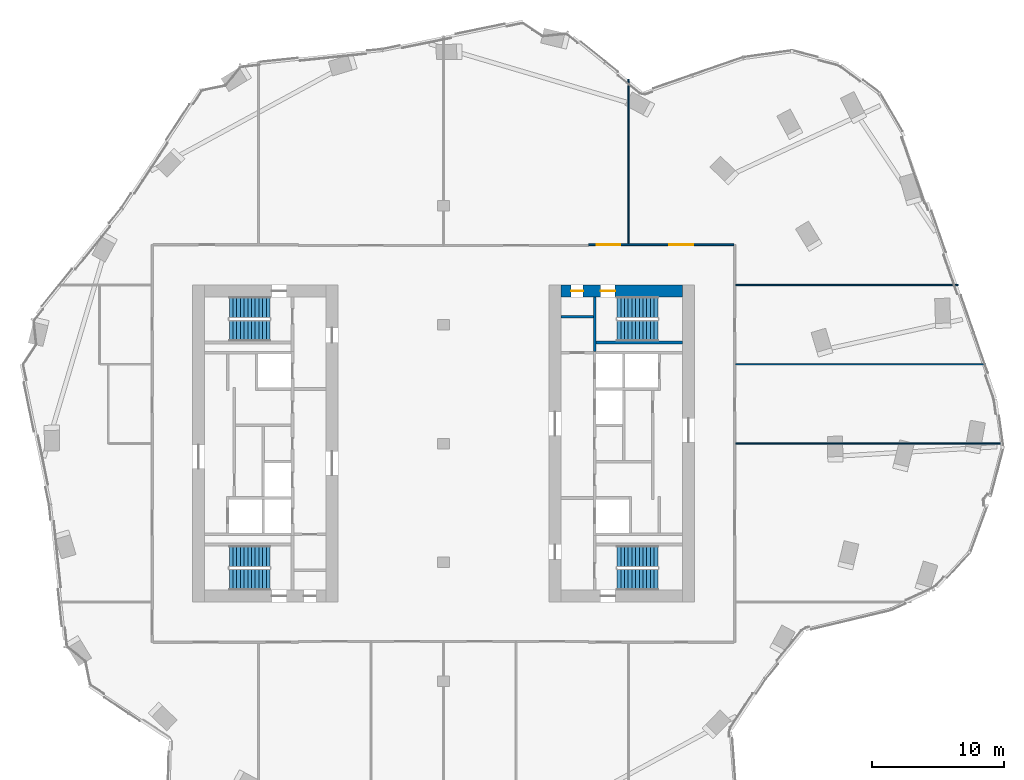
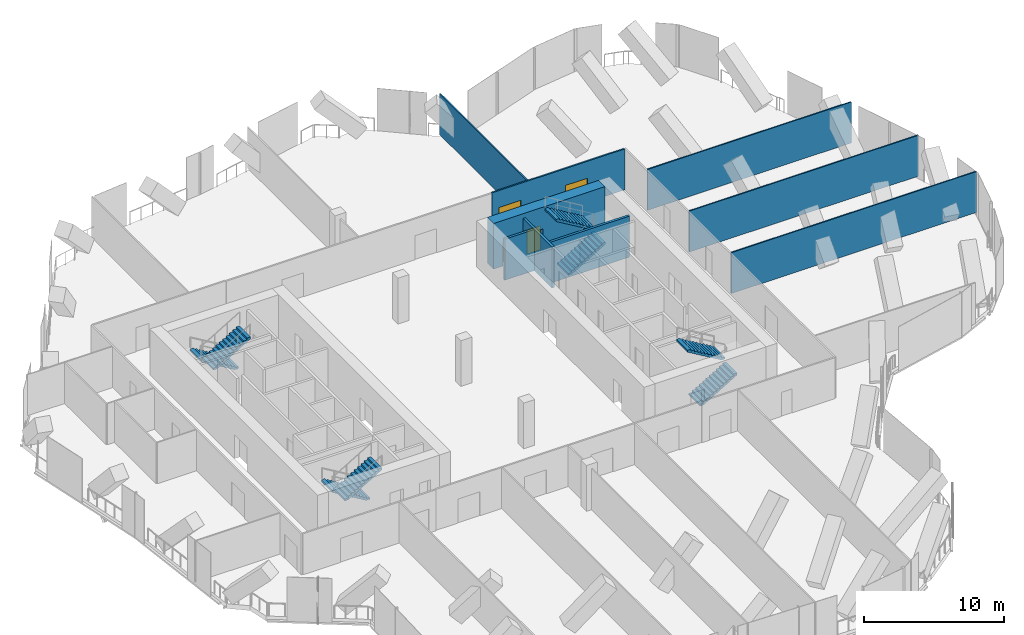
# One storey, part 22 of 26: 9 walls, 8 stair flights, 4 doors, 4 openings, 4 elements without a shape of their own.
"""IFC4 building model written with IfcOpenShell, lengths in metres."""

from ifc_helpers import new_model, si_unit, direction, frame, frame_2d, origin, place, context, subcontext, project, spatial, polyline, rectangle, outline, extrude, material, layer, layer_set, type_object, element, fill, aggregate, save


model = new_model("IFC4")

# Units and contexts
model_context = context("Model", 3, precision=1e-05, world=origin(), true_north=direction((0.0, 1.0)))
body_context = subcontext(model_context, "Body", "Model", "MODEL_VIEW")
ifc_project = project(units=[si_unit("LENGTHUNIT", "METRE"), si_unit("AREAUNIT", "SQUARE_METRE"), si_unit("VOLUMEUNIT", "CUBIC_METRE"), si_unit("PLANEANGLEUNIT", "RADIAN"), si_unit("MASSUNIT", "GRAM", prefix="KILO")], contexts=[model_context])

# Site, building, storey
site_placement = place(None, origin())
site = spatial("IfcSite", under=ifc_project, at=site_placement, CompositionType="ELEMENT")
building_placement = place(site_placement, origin())
building = spatial("IfcBuilding", under=site, at=building_placement, Name="Orlundy Tower", CompositionType="ELEMENT")
storey_placement = place(building_placement, frame((0.0, 0.0, 228.0)))
storey = spatial("IfcBuildingStorey", under=building, at=storey_placement, Name="L60", CompositionType="ELEMENT", Elevation=228.0)

# Wall, openings, doors
ifc_material_1 = material(Name="Concrete C60/75", Category="concrete")
ifc_layer_1 = layer(ifc_material_1, 0.89990234375)
ifc_layer_set_1 = layer_set([ifc_layer_1], Name="CORE WALL 900 C60/75")
wall_type_1 = type_object("IfcWallType", Name="CORE WALL 900 C60/75", PredefinedType="SHEAR", material=ifc_layer_set_1)
wall_1_placement = place(storey_placement, frame((8.89990234375, 11.550048828125, 0.0), z_axis=(0.0, 0.0, 1.0), x_axis=(1.0, 0.0, 0.0)))
wall_1 = element("IfcWall", 1, at=wall_1_placement, inside=storey, type_object=wall_type_1, Name="Core wall E-N L60", PredefinedType="SHEAR", context=body_context, shape_type="SweptSolid", body=[
    extrude(rectangle(XDim=9.2001953125, YDim=0.89990234375, at=frame_2d((4.60009765625, 0.0))), origin(), (0.0, 0.0, 1.0), 4.0),
])
opening_1_placement = place(wall_1_placement, frame((3.0, 0.0, 0.0)))
opening_1 = element("IfcOpeningElement", 2, at=opening_1_placement, cuts=wall_1, Name="Opening 46061", PredefinedType="OPENING", context=body_context, shape_type="SweptSolid", body=[
    extrude(rectangle(XDim=1.10009765625, YDim=2.10009765625, at=frame_2d((0.550048828125, 1.050048828125))), frame((0.0, 0.4599609375, 0.0), z_axis=(0.0, -1.0, 0.0), x_axis=(1.0, 0.0, 0.0)), (0.0, 0.0, 1.0), 0.919921875),
])
opening_2_placement = place(wall_1_placement, frame((0.77001953125, 0.0, 0.0)))
opening_2 = element("IfcOpeningElement", 3, at=opening_2_placement, cuts=wall_1, Name="Opening 46063", PredefinedType="OPENING", context=body_context, shape_type="SweptSolid", body=[
    extrude(rectangle(XDim=0.89990234375, YDim=2.10009765625, at=frame_2d((0.449951171875, 1.050048828125))), frame((0.0, 0.4599609375, 0.0), z_axis=(0.0, -1.0, 0.0), x_axis=(1.0, 0.0, 0.0)), (0.0, 0.0, 1.0), 0.919921875),
])
ifc_material_2 = material(Name="Timber door set", Category="wood")
door_type_1 = type_object("IfcDoorType", Name="Room Door 900x2100", OperationType="SINGLE_SWING_LEFT", PredefinedType="DOOR", material=ifc_material_2)
door_1_placement = place(opening_2_placement, origin())
door_1 = element("IfcDoor", 4, at=door_1_placement, inside=storey, type_object=door_type_1, Name="Store door 46063", OperationType="SINGLE_SWING_LEFT", OverallHeight=2.10009765625, OverallWidth=0.89990234375, PredefinedType="DOOR", context=body_context, shape_type="SweptSolid", body=[
    extrude(rectangle(XDim=0.89990234375, YDim=2.10009765625, at=frame_2d((0.449951171875, 1.050048828125))), frame((0.0, 0.02490234375, 0.0), z_axis=(0.0, -1.0, 0.0), x_axis=(1.0, 0.0, 0.0)), (0.0, 0.0, 1.0), 0.050048828125),
])
fill(opening_2, door_1)
ifc_material_3 = material(Name="Steel door set", Category="steel")
door_type_2 = type_object("IfcDoorType", Name="Stair Door 1100x2100", OperationType="SINGLE_SWING_LEFT", PredefinedType="DOOR", material=ifc_material_3)
door_2_placement = place(opening_1_placement, origin())
door_2 = element("IfcDoor", 5, at=door_2_placement, inside=storey, type_object=door_type_2, Name="Stair door 46061", OperationType="SINGLE_SWING_LEFT", OverallHeight=2.10009765625, OverallWidth=1.10009765625, PredefinedType="DOOR", context=body_context, shape_type="SweptSolid", body=[
    extrude(rectangle(XDim=1.10009765625, YDim=2.10009765625, at=frame_2d((0.550048828125, 1.050048828125))), frame((0.0, 0.02490234375, 0.0), z_axis=(0.0, -1.0, 0.0), x_axis=(1.0, 0.0, 0.0)), (0.0, 0.0, 1.0), 0.050048828125),
])
fill(opening_1, door_2)

# Walls
ifc_material_4 = material(Name="Gypsum board partition")
ifc_layer_2 = layer(ifc_material_4, 0.10009765625)
ifc_layer_set_2 = layer_set([ifc_layer_2], Name="Floor partition 100")
wall_type_2 = type_object("IfcWallType", Name="Floor partition 100", PredefinedType="PARTITIONING", material=ifc_layer_set_2)
wall_2_placement = place(storey_placement, frame((22.113037109375, 0.0, 0.0), z_axis=(0.0, 0.0, 1.0), x_axis=(1.0, 0.0, 0.0)))
element("IfcWall", 6, at=wall_2_placement, inside=storey, type_object=wall_type_2, Name="wall-int-L60-007", PredefinedType="PARTITIONING", context=body_context, shape_type="SweptSolid", body=[
    extrude(rectangle(XDim=20.31103515625, YDim=0.10009765625, at=frame_2d((10.155517578125, 0.0))), origin(), (0.0, 0.0, 1.0), 3.580078125),
])
wall_3_placement = place(storey_placement, frame((22.113037109375, 6.0, 0.0), z_axis=(0.0, 0.0, 1.0), x_axis=(1.0, 0.0, 0.0)))
element("IfcWall", 7, at=wall_3_placement, inside=storey, type_object=wall_type_2, Name="wall-int-L60-009", PredefinedType="PARTITIONING", context=body_context, shape_type="SweptSolid", body=[
    extrude(rectangle(XDim=18.94287109375, YDim=0.10009765625, at=frame_2d((9.471435546875, 0.0))), origin(), (0.0, 0.0, 1.0), 3.580078125),
])
wall_4_placement = place(storey_placement, frame((22.113037109375, 12.0, 0.0), z_axis=(0.0, 0.0, 1.0), x_axis=(1.0, 0.0, 0.0)))
element("IfcWall", 8, at=wall_4_placement, inside=storey, type_object=wall_type_2, Name="wall-int-L60-011", PredefinedType="PARTITIONING", context=body_context, shape_type="SweptSolid", body=[
    extrude(rectangle(XDim=16.85693359375, YDim=0.10009765625, at=frame_2d((8.428466796875, 0.0))), origin(), (0.0, 0.0, 1.0), 3.580078125),
])
wall_5_placement = place(storey_placement, frame((14.0, 15.114013671875, 0.0), z_axis=(0.0, 0.0, 1.0), x_axis=(0.0, 1.0, 0.0)))
element("IfcWall", 9, at=wall_5_placement, inside=storey, type_object=wall_type_2, Name="wall-int-L60-017", PredefinedType="PARTITIONING", context=body_context, shape_type="SweptSolid", body=[
    extrude(rectangle(XDim=12.472900390625, YDim=0.10009765625, at=frame_2d((6.236328125, 0.0))), origin(), (0.0, 0.0, 1.0), 3.580078125),
])

# Wall, openings, doors
ifc_material_5 = material(Name="Gypsum board partition, double layer")
ifc_layer_3 = layer(ifc_material_5, 0.125)
ifc_layer_set_3 = layer_set([ifc_layer_3], Name="Floor partition 125")
wall_type_3 = type_object("IfcWallType", Name="Floor partition 125", PredefinedType="PARTITIONING", material=ifc_layer_set_3)
wall_6_placement = place(storey_placement, frame((10.990966796875, 15.051025390625, 0.0), z_axis=(0.0, 0.0, 1.0), x_axis=(1.0, 0.0, 0.0)))
wall_6 = element("IfcWall", 10, at=wall_6_placement, inside=storey, type_object=wall_type_3, Name="wall-int-L60-014", PredefinedType="PARTITIONING", context=body_context, shape_type="SweptSolid", body=[
    extrude(rectangle(XDim=10.9970703125, YDim=0.125, at=frame_2d((5.49853515625, 0.0))), origin(), (0.0, 0.0, 1.0), 3.580078125),
])
opening_3_placement = place(wall_6_placement, frame((6.10888671875, 0.0, 0.0)))
opening_3 = element("IfcOpeningElement", 11, at=opening_3_placement, cuts=wall_6, Name="Opening 46112", PredefinedType="OPENING", context=body_context, shape_type="SweptSolid", body=[
    extrude(rectangle(XDim=1.800048828125, YDim=2.10009765625, at=frame_2d((0.89990234375, 1.050048828125))), frame((0.0, 0.072509765625, 0.0), z_axis=(0.0, -1.0, 0.0), x_axis=(1.0, 0.0, 0.0)), (0.0, 0.0, 1.0), 0.14501953125),
])
opening_4_placement = place(wall_6_placement, frame((0.60009765625, 0.0, 0.0)))
opening_4 = element("IfcOpeningElement", 12, at=opening_4_placement, cuts=wall_6, Name="Opening 46114", PredefinedType="OPENING", context=body_context, shape_type="SweptSolid", body=[
    extrude(rectangle(XDim=1.800048828125, YDim=2.10009765625, at=frame_2d((0.89990234375, 1.050048828125))), frame((0.0, 0.072509765625, 0.0), z_axis=(0.0, -1.0, 0.0), x_axis=(1.0, 0.0, 0.0)), (0.0, 0.0, 1.0), 0.14501953125),
])
ifc_material_6 = material(Name="Timber door leaf", Category="wood")
door_type_3 = type_object("IfcDoorType", Name="Floor door double 1800 FD30S", OperationType="NOTDEFINED", PredefinedType="DOOR", material=ifc_material_6)
door_3_placement = place(opening_3_placement, origin())
door_3 = element("IfcDoor", 13, at=door_3_placement, inside=storey, type_object=door_type_3, Name="Door 46112", OperationType="DOUBLE_DOOR_SINGLE_SWING", OverallHeight=2.10009765625, OverallWidth=1.800048828125, PredefinedType="DOOR", context=body_context, shape_type="SweptSolid", body=[
    extrude(rectangle(XDim=1.800048828125, YDim=2.10009765625, at=frame_2d((0.89990234375, 1.050048828125))), frame((0.0, 0.02490234375, 0.0), z_axis=(0.0, -1.0, 0.0), x_axis=(1.0, 0.0, 0.0)), (0.0, 0.0, 1.0), 0.050048828125),
])
fill(opening_3, door_3)
door_4_placement = place(opening_4_placement, origin())
door_4 = element("IfcDoor", 14, at=door_4_placement, inside=storey, type_object=door_type_3, Name="Door 46114", OperationType="DOUBLE_DOOR_SINGLE_SWING", OverallHeight=2.10009765625, OverallWidth=1.800048828125, PredefinedType="DOOR", context=body_context, shape_type="SweptSolid", body=[
    extrude(rectangle(XDim=1.800048828125, YDim=2.10009765625, at=frame_2d((0.89990234375, 1.050048828125))), frame((0.0, 0.02490234375, 0.0), z_axis=(0.0, -1.0, 0.0), x_axis=(1.0, 0.0, 0.0)), (0.0, 0.0, 1.0), 0.050048828125),
])
fill(opening_4, door_4)

# Walls
ifc_material_7 = material(Name="Concrete C40/50", Category="concrete")
ifc_layer_4 = layer(ifc_material_7, 0.199951171875)
ifc_layer_set_4 = layer_set([ifc_layer_4], Name="Load-bearing Shaft Wall 200")
wall_type_4 = type_object("IfcWallType", Name="Load-bearing Shaft Wall 200", PredefinedType="SOLIDWALL", material=ifc_layer_set_4)
wall_7_placement = place(storey_placement, frame((11.43994140625, 11.10009765625, 0.0), z_axis=(0.0, 0.0, 1.0), x_axis=(0.0, -1.0, 0.0)))
element("IfcWall", 15, at=wall_7_placement, inside=storey, type_object=wall_type_4, Name="Shaft wall E46-stair-end-s", PredefinedType="SOLIDWALL", context=body_context, shape_type="SweptSolid", body=[
    extrude(rectangle(XDim=4.125, YDim=0.199951171875, at=frame_2d((2.0625, 0.0))), origin(), (0.0, 0.0, 1.0), 3.590087890625),
])
wall_8_placement = place(storey_placement, frame((11.5400390625, 7.64990234375, 0.0), z_axis=(0.0, 0.0, 1.0), x_axis=(1.0, 0.0, 0.0)))
element("IfcWall", 16, at=wall_8_placement, inside=storey, type_object=wall_type_4, Name="Shaft wall E46-stair-side-s", PredefinedType="SOLIDWALL", context=body_context, shape_type="SweptSolid", body=[
    extrude(rectangle(XDim=6.56005859375, YDim=0.199951171875, at=frame_2d((3.280029296875, 0.0))), origin(), (0.0, 0.0, 1.0), 3.590087890625),
])
ifc_material_8 = material(Name="Gypsum board partition on steel studs", Category="steel")
ifc_layer_5 = layer(ifc_material_8, 0.199951171875)
ifc_layer_set_5 = layer_set([ifc_layer_5], Name="Partition 200")
wall_type_5 = type_object("IfcWallType", Name="Partition 200", PredefinedType="PARTITIONING", material=ifc_layer_set_5)
wall_9_placement = place(storey_placement, frame((8.89990234375, 9.60009765625, 0.0), z_axis=(0.0, 0.0, 1.0), x_axis=(1.0, 0.0, 0.0)))
element("IfcWall", 17, at=wall_9_placement, inside=storey, type_object=wall_type_5, Name="Partition wall E46-room-s0", PredefinedType="PARTITIONING", context=body_context, shape_type="SweptSolid", body=[
    extrude(rectangle(XDim=2.440185546875, YDim=0.199951171875, at=frame_2d((1.22021484375, 0.0))), origin(), (0.0, 0.0, 1.0), 3.590087890625),
])

# Stair, stair flights
ifc_material_9 = material(Name="Concrete C50/60", Category="concrete")
stair_type = type_object("IfcStairType", Name="Exit Stair 24 risers", PredefinedType="HALF_TURN_STAIR", material=ifc_material_9)
stair_1_placement = place(storey_placement, origin())
stair_1 = element("IfcStair", 18, at=stair_1_placement, inside=storey, type_object=stair_type, Name="L60 Exit Stair ST-W1", PredefinedType="HALF_TURN_STAIR")
ifc_material_10 = material(Name="Concrete C50/60", Category="concrete")
stair_flight_type = type_object("IfcStairFlightType", Name="Stair Flight 12 risers", PredefinedType="STRAIGHT", material=ifc_material_10)
stair_flight_1_placement = place(storey_placement, frame((-13.139892578125, 10.300048828125, 0.0), z_axis=(0.0, 0.0, 1.0), x_axis=(-1.0, 0.0, 0.0)))
stair_flight_1 = element("IfcStairFlight", 19, at=stair_flight_1_placement, type_object=stair_flight_type, Name="ST-W1 flight 1", NumberOfRisers=12, NumberOfTreads=11, PredefinedType="STRAIGHT", RiserHeight=0.166666667, TreadLength=0.28, context=body_context, shape_type="SweptSolid", body=[
    extrude(outline(polyline([(0.0, 0.0), (0.0, 0.166748046875), (0.280029296875, 0.166748046875), (0.280029296875, 0.333251953125), (0.56005859375, 0.333251953125), (0.56005859375, 0.5), (0.840087890625, 0.5), (0.840087890625, 0.666748046875), (1.1201171875, 0.666748046875), (1.1201171875, 0.833251953125), (1.39990234375, 0.833251953125), (1.39990234375, 1.0), (1.679931640625, 1.0), (1.679931640625, 1.166748046875), (1.9599609375, 1.166748046875), (1.9599609375, 1.333251953125), (2.239990234375, 1.333251953125), (2.239990234375, 1.5), (2.52001953125, 1.5), (2.52001953125, 1.666748046875), (2.800048828125, 1.666748046875), (2.800048828125, 1.833251953125), (3.080078125, 1.833251953125), (3.080078125, 2.0), (3.080078125, 1.658935546875), (0.29296875, 0.0), (0.0, 0.0)])), frame((0.0, 0.800048828125, 0.0), z_axis=(0.0, -1.0, 0.0), x_axis=(1.0, 0.0, 0.0)), (0.0, 0.0, 1.0), 1.60009765625),
])
stair_flight_2_placement = place(storey_placement, frame((-16.219970703125, 8.550048828125, 2.0), z_axis=(0.0, 0.0, 1.0), x_axis=(1.0, 0.0, 0.0)))
stair_flight_2 = element("IfcStairFlight", 20, at=stair_flight_2_placement, type_object=stair_flight_type, Name="ST-W1 flight 2", NumberOfRisers=12, NumberOfTreads=11, PredefinedType="STRAIGHT", RiserHeight=0.166666667, TreadLength=0.28, context=body_context, shape_type="SweptSolid", body=[
    extrude(outline(polyline([(0.0, 0.0), (0.0, 0.166748046875), (0.280029296875, 0.166748046875), (0.280029296875, 0.333251953125), (0.56005859375, 0.333251953125), (0.56005859375, 0.5), (0.840087890625, 0.5), (0.840087890625, 0.666748046875), (1.1201171875, 0.666748046875), (1.1201171875, 0.833251953125), (1.39990234375, 0.833251953125), (1.39990234375, 1.0), (1.679931640625, 1.0), (1.679931640625, 1.166748046875), (1.9599609375, 1.166748046875), (1.9599609375, 1.333251953125), (2.239990234375, 1.333251953125), (2.239990234375, 1.5), (2.52001953125, 1.5), (2.52001953125, 1.666748046875), (2.800048828125, 1.666748046875), (2.800048828125, 1.833251953125), (3.080078125, 1.833251953125), (3.080078125, 2.0), (3.080078125, 1.658935546875), (0.29296875, 0.0), (0.0, 0.0)])), frame((0.0, 0.800048828125, 0.0), z_axis=(0.0, -1.0, 0.0), x_axis=(1.0, 0.0, 0.0)), (0.0, 0.0, 1.0), 1.60009765625),
])
aggregate(stair_1, [stair_flight_1, stair_flight_2])

stair_2_placement = place(storey_placement, origin())
stair_2 = element("IfcStair", 21, at=stair_2_placement, inside=storey, type_object=stair_type, Name="L60 Exit Stair ST-W2", PredefinedType="HALF_TURN_STAIR")
stair_flight_3_placement = place(storey_placement, frame((-13.139892578125, -8.550048828125, 0.0), z_axis=(0.0, 0.0, 1.0), x_axis=(-1.0, 0.0, 0.0)))
stair_flight_3 = element("IfcStairFlight", 22, at=stair_flight_3_placement, type_object=stair_flight_type, Name="ST-W2 flight 1", NumberOfRisers=12, NumberOfTreads=11, PredefinedType="STRAIGHT", RiserHeight=0.166666667, TreadLength=0.28, context=body_context, shape_type="SweptSolid", body=[
    extrude(outline(polyline([(0.0, 0.0), (0.0, 0.166748046875), (0.280029296875, 0.166748046875), (0.280029296875, 0.333251953125), (0.56005859375, 0.333251953125), (0.56005859375, 0.5), (0.840087890625, 0.5), (0.840087890625, 0.666748046875), (1.1201171875, 0.666748046875), (1.1201171875, 0.833251953125), (1.39990234375, 0.833251953125), (1.39990234375, 1.0), (1.679931640625, 1.0), (1.679931640625, 1.166748046875), (1.9599609375, 1.166748046875), (1.9599609375, 1.333251953125), (2.239990234375, 1.333251953125), (2.239990234375, 1.5), (2.52001953125, 1.5), (2.52001953125, 1.666748046875), (2.800048828125, 1.666748046875), (2.800048828125, 1.833251953125), (3.080078125, 1.833251953125), (3.080078125, 2.0), (3.080078125, 1.658935546875), (0.29296875, 0.0), (0.0, 0.0)])), frame((0.0, 0.800048828125, 0.0), z_axis=(0.0, -1.0, 0.0), x_axis=(1.0, 0.0, 0.0)), (0.0, 0.0, 1.0), 1.60009765625),
])
stair_flight_4_placement = place(storey_placement, frame((-16.219970703125, -10.300048828125, 2.0), z_axis=(0.0, 0.0, 1.0), x_axis=(1.0, 0.0, 0.0)))
stair_flight_4 = element("IfcStairFlight", 23, at=stair_flight_4_placement, type_object=stair_flight_type, Name="ST-W2 flight 2", NumberOfRisers=12, NumberOfTreads=11, PredefinedType="STRAIGHT", RiserHeight=0.166666667, TreadLength=0.28, context=body_context, shape_type="SweptSolid", body=[
    extrude(outline(polyline([(0.0, 0.0), (0.0, 0.166748046875), (0.280029296875, 0.166748046875), (0.280029296875, 0.333251953125), (0.56005859375, 0.333251953125), (0.56005859375, 0.5), (0.840087890625, 0.5), (0.840087890625, 0.666748046875), (1.1201171875, 0.666748046875), (1.1201171875, 0.833251953125), (1.39990234375, 0.833251953125), (1.39990234375, 1.0), (1.679931640625, 1.0), (1.679931640625, 1.166748046875), (1.9599609375, 1.166748046875), (1.9599609375, 1.333251953125), (2.239990234375, 1.333251953125), (2.239990234375, 1.5), (2.52001953125, 1.5), (2.52001953125, 1.666748046875), (2.800048828125, 1.666748046875), (2.800048828125, 1.833251953125), (3.080078125, 1.833251953125), (3.080078125, 2.0), (3.080078125, 1.658935546875), (0.29296875, 0.0), (0.0, 0.0)])), frame((0.0, 0.800048828125, 0.0), z_axis=(0.0, -1.0, 0.0), x_axis=(1.0, 0.0, 0.0)), (0.0, 0.0, 1.0), 1.60009765625),
])
aggregate(stair_2, [stair_flight_3, stair_flight_4])

stair_3_placement = place(storey_placement, origin())
stair_3 = element("IfcStair", 24, at=stair_3_placement, inside=storey, type_object=stair_type, Name="L60 Exit Stair ST-E1", PredefinedType="HALF_TURN_STAIR")
stair_flight_5_placement = place(storey_placement, frame((13.139892578125, -10.300048828125, 0.0), z_axis=(0.0, 0.0, 1.0), x_axis=(1.0, 0.0, 0.0)))
stair_flight_5 = element("IfcStairFlight", 25, at=stair_flight_5_placement, type_object=stair_flight_type, Name="ST-E1 flight 1", NumberOfRisers=12, NumberOfTreads=11, PredefinedType="STRAIGHT", RiserHeight=0.166666667, TreadLength=0.28, context=body_context, shape_type="SweptSolid", body=[
    extrude(outline(polyline([(0.0, 0.0), (0.0, 0.166748046875), (0.280029296875, 0.166748046875), (0.280029296875, 0.333251953125), (0.56005859375, 0.333251953125), (0.56005859375, 0.5), (0.840087890625, 0.5), (0.840087890625, 0.666748046875), (1.1201171875, 0.666748046875), (1.1201171875, 0.833251953125), (1.39990234375, 0.833251953125), (1.39990234375, 1.0), (1.679931640625, 1.0), (1.679931640625, 1.166748046875), (1.9599609375, 1.166748046875), (1.9599609375, 1.333251953125), (2.239990234375, 1.333251953125), (2.239990234375, 1.5), (2.52001953125, 1.5), (2.52001953125, 1.666748046875), (2.800048828125, 1.666748046875), (2.800048828125, 1.833251953125), (3.080078125, 1.833251953125), (3.080078125, 2.0), (3.080078125, 1.658935546875), (0.29296875, 0.0), (0.0, 0.0)])), frame((0.0, 0.800048828125, 0.0), z_axis=(0.0, -1.0, 0.0), x_axis=(1.0, 0.0, 0.0)), (0.0, 0.0, 1.0), 1.60009765625),
])
stair_flight_6_placement = place(storey_placement, frame((16.219970703125, -8.550048828125, 2.0), z_axis=(0.0, 0.0, 1.0), x_axis=(-1.0, 0.0, 0.0)))
stair_flight_6 = element("IfcStairFlight", 26, at=stair_flight_6_placement, type_object=stair_flight_type, Name="ST-E1 flight 2", NumberOfRisers=12, NumberOfTreads=11, PredefinedType="STRAIGHT", RiserHeight=0.166666667, TreadLength=0.28, context=body_context, shape_type="SweptSolid", body=[
    extrude(outline(polyline([(0.0, 0.0), (0.0, 0.166748046875), (0.280029296875, 0.166748046875), (0.280029296875, 0.333251953125), (0.56005859375, 0.333251953125), (0.56005859375, 0.5), (0.840087890625, 0.5), (0.840087890625, 0.666748046875), (1.1201171875, 0.666748046875), (1.1201171875, 0.833251953125), (1.39990234375, 0.833251953125), (1.39990234375, 1.0), (1.679931640625, 1.0), (1.679931640625, 1.166748046875), (1.9599609375, 1.166748046875), (1.9599609375, 1.333251953125), (2.239990234375, 1.333251953125), (2.239990234375, 1.5), (2.52001953125, 1.5), (2.52001953125, 1.666748046875), (2.800048828125, 1.666748046875), (2.800048828125, 1.833251953125), (3.080078125, 1.833251953125), (3.080078125, 2.0), (3.080078125, 1.658935546875), (0.29296875, 0.0), (0.0, 0.0)])), frame((0.0, 0.800048828125, 0.0), z_axis=(0.0, -1.0, 0.0), x_axis=(1.0, 0.0, 0.0)), (0.0, 0.0, 1.0), 1.60009765625),
])
aggregate(stair_3, [stair_flight_5, stair_flight_6])

stair_4_placement = place(storey_placement, origin())
stair_4 = element("IfcStair", 27, at=stair_4_placement, inside=storey, type_object=stair_type, Name="L60 Exit Stair ST-E2", PredefinedType="HALF_TURN_STAIR")
stair_flight_7_placement = place(storey_placement, frame((13.139892578125, 8.550048828125, 0.0), z_axis=(0.0, 0.0, 1.0), x_axis=(1.0, 0.0, 0.0)))
stair_flight_7 = element("IfcStairFlight", 28, at=stair_flight_7_placement, type_object=stair_flight_type, Name="ST-E2 flight 1", NumberOfRisers=12, NumberOfTreads=11, PredefinedType="STRAIGHT", RiserHeight=0.166666667, TreadLength=0.28, context=body_context, shape_type="SweptSolid", body=[
    extrude(outline(polyline([(0.0, 0.0), (0.0, 0.166748046875), (0.280029296875, 0.166748046875), (0.280029296875, 0.333251953125), (0.56005859375, 0.333251953125), (0.56005859375, 0.5), (0.840087890625, 0.5), (0.840087890625, 0.666748046875), (1.1201171875, 0.666748046875), (1.1201171875, 0.833251953125), (1.39990234375, 0.833251953125), (1.39990234375, 1.0), (1.679931640625, 1.0), (1.679931640625, 1.166748046875), (1.9599609375, 1.166748046875), (1.9599609375, 1.333251953125), (2.239990234375, 1.333251953125), (2.239990234375, 1.5), (2.52001953125, 1.5), (2.52001953125, 1.666748046875), (2.800048828125, 1.666748046875), (2.800048828125, 1.833251953125), (3.080078125, 1.833251953125), (3.080078125, 2.0), (3.080078125, 1.658935546875), (0.29296875, 0.0), (0.0, 0.0)])), frame((0.0, 0.800048828125, 0.0), z_axis=(0.0, -1.0, 0.0), x_axis=(1.0, 0.0, 0.0)), (0.0, 0.0, 1.0), 1.60009765625),
])
stair_flight_8_placement = place(storey_placement, frame((16.219970703125, 10.300048828125, 2.0), z_axis=(0.0, 0.0, 1.0), x_axis=(-1.0, 0.0, 0.0)))
stair_flight_8 = element("IfcStairFlight", 29, at=stair_flight_8_placement, type_object=stair_flight_type, Name="ST-E2 flight 2", NumberOfRisers=12, NumberOfTreads=11, PredefinedType="STRAIGHT", RiserHeight=0.166666667, TreadLength=0.28, context=body_context, shape_type="SweptSolid", body=[
    extrude(outline(polyline([(0.0, 0.0), (0.0, 0.166748046875), (0.280029296875, 0.166748046875), (0.280029296875, 0.333251953125), (0.56005859375, 0.333251953125), (0.56005859375, 0.5), (0.840087890625, 0.5), (0.840087890625, 0.666748046875), (1.1201171875, 0.666748046875), (1.1201171875, 0.833251953125), (1.39990234375, 0.833251953125), (1.39990234375, 1.0), (1.679931640625, 1.0), (1.679931640625, 1.166748046875), (1.9599609375, 1.166748046875), (1.9599609375, 1.333251953125), (2.239990234375, 1.333251953125), (2.239990234375, 1.5), (2.52001953125, 1.5), (2.52001953125, 1.666748046875), (2.800048828125, 1.666748046875), (2.800048828125, 1.833251953125), (3.080078125, 1.833251953125), (3.080078125, 2.0), (3.080078125, 1.658935546875), (0.29296875, 0.0), (0.0, 0.0)])), frame((0.0, 0.800048828125, 0.0), z_axis=(0.0, -1.0, 0.0), x_axis=(1.0, 0.0, 0.0)), (0.0, 0.0, 1.0), 1.60009765625),
])
aggregate(stair_4, [stair_flight_7, stair_flight_8])

save(model, "model.ifc")
